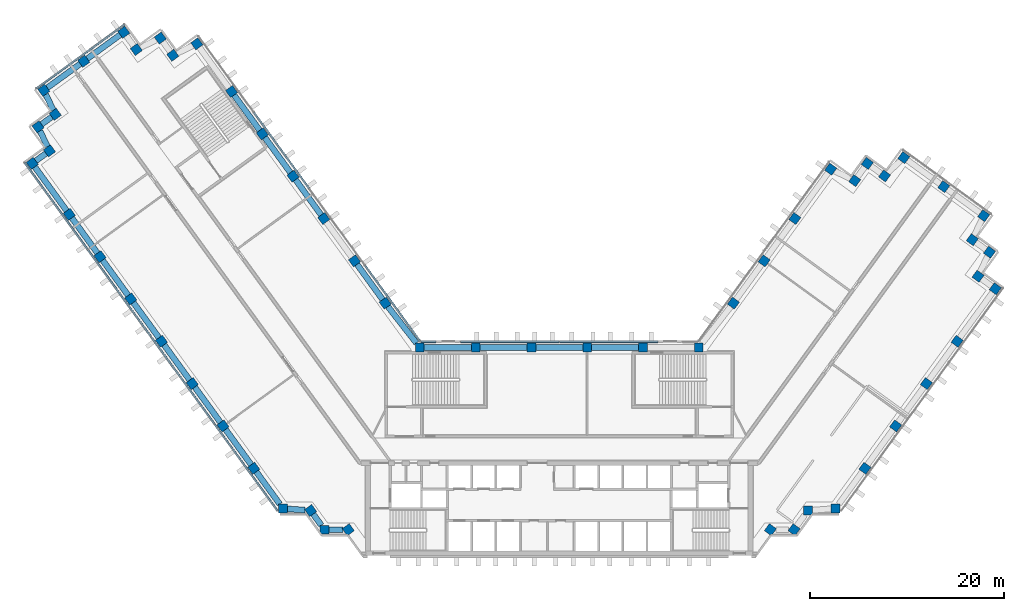
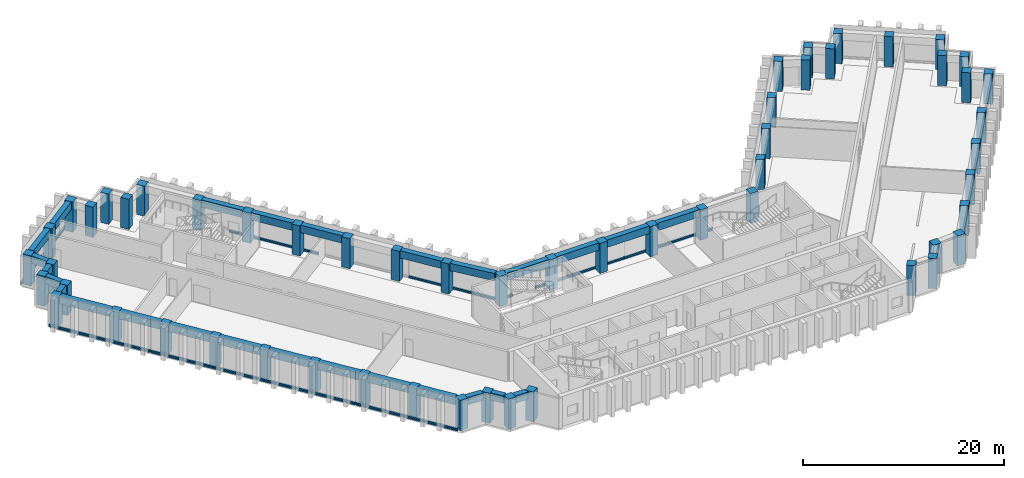
"""IFC4 building model written with IfcOpenShell, lengths in metres."""

from ifc_helpers import new_model, si_unit, direction, frame, origin, origin_2d, place, context, subcontext, project, spatial, rectangle, extrude, material, material_profile, profile_set, type_object, element, aggregate, save


model = new_model("IFC4")

# Units and contexts
model_context = context("Model", 3, precision=1e-05, world=origin(), true_north=direction((0.0, 1.0)))
body_context = subcontext(model_context, "Body", "Model", "MODEL_VIEW")
ifc_project = project(units=[si_unit("LENGTHUNIT", "METRE"), si_unit("AREAUNIT", "SQUARE_METRE"), si_unit("VOLUMEUNIT", "CUBIC_METRE"), si_unit("PLANEANGLEUNIT", "RADIAN"), si_unit("MASSUNIT", "GRAM", prefix="KILO")], contexts=[model_context])

# Site, building, storey
site_placement = place(None, origin())
site = spatial("IfcSite", under=ifc_project, at=site_placement, CompositionType="ELEMENT")
building_placement = place(site_placement, origin())
building = spatial("IfcBuilding", under=site, at=building_placement, Name="Quipu Civic Tower", CompositionType="ELEMENT")
storey_1_placement = place(building_placement, frame((0.0, 0.0, 109.0)))
storey_1 = spatial("IfcBuildingStorey", under=building, at=storey_1_placement, Name="L25", CompositionType="ELEMENT", Elevation=109.0)

# Columns
ifc_material_1 = material(Name="Concrete C60/75", Category="concrete")
ifc_material_profile_1 = material_profile(ifc_material_1, rectangle(XDim=0.89990234375, YDim=0.89990234375, at=origin_2d()), Name="RC900x900")
ifc_profile_set_1 = profile_set([ifc_material_profile_1], Name="Concrete C60/75")
column_type = type_object("IfcColumnType", Name="Perimeter column RC 900x900 C60/75", PredefinedType="COLUMN", material=ifc_profile_set_1)
for number, where, z_axis, x_axis, name in (
    (1, (-17.9736328125, 15.074951171875, 0.0), (0.0, 0.0, 1.0), (-0.587785252292, 0.809016994375, 0.0), "Column L25 W-IN-01"),
    (2, (-21.1474609375, 19.44384765625, 0.0), (0.0, 0.0, 1.0), (-0.587785252292, 0.809016994375, 0.0), "Column L25 W-IN-02"),
    (3, (-24.3212890625, 23.8125, 0.0), (0.0, 0.0, 1.0), (-0.587785252292, 0.809016994375, 0.0), "Column L25 W-IN-03"),
    (4, (-27.4951171875, 28.181396484375, 0.0), (0.0, 0.0, 1.0), (-0.587785252292, 0.809016994375, 0.0), "Column L25 W-IN-04"),
    (5, (-30.6689453125, 32.55029296875, 0.0), (0.0, 0.0, 1.0), (-0.587785252292, 0.809016994375, 0.0), "Column L25 W-IN-05"),
    (6, (-33.843017578125, 36.919189453125, 0.0), (0.0, 0.0, 1.0), (-0.587785252292, 0.809016994375, 0.0), "Column L25 W-IN-06"),
    (7, (-37.425048828125, 41.85009765625, 0.0), (0.0, 0.0, 1.0), (-0.587785252292, 0.809016994375, 0.0), "Column L25 T-Wi.0-W50"),
    (8, (-39.905517578125, 40.666015625, 0.0), (0.0, 0.0, 1.0), (-0.587785252292, 0.809016994375, 0.0), "Column L25 T-Wi.1-W50"),
    (9, (-41.199951171875, 42.445068359375, 0.0), (0.0, 0.0, 1.0), (-0.587785252292, 0.809016994375, 0.0), "Column L25 T-Wi.2-W50"),
    (10, (-43.674560546875, 41.264892578125, 0.0), (0.0, 0.0, 1.0), (-0.809016994375, -0.587785252292, 0.0), "Column L25 T-Wi.3-W50"),
    (11, (-44.969970703125, 43.044921875, 0.0), (0.0, 0.0, 1.0), (-0.809016994375, -0.587785252292, 0.0), "Column L25 T-Wi.4-W50"),
    (12, (-49.095703125, 40.046875, 0.0), (0.0, 0.0, 1.0), (-0.809016994375, -0.587785252292, 0.0), "Column L25 TIP-W-01-W50"),
    (13, (-53.219970703125, 37.050048828125, 0.0), (0.0, 0.0, 1.0), (0.587785252292, -0.809016994375, 0.0), "Column L25 T-Wo.0-W50"),
    (14, (-52.038818359375, 34.571044921875, 0.0), (0.0, 0.0, 1.0), (-0.809016994375, -0.587785252292, 0.0), "Column L25 T-Wo.1-W50"),
    (15, (-53.820068359375, 33.27490234375, 0.0), (0.0, 0.0, 1.0), (0.587785252292, -0.809016994375, 0.0), "Column L25 T-Wo.2-W50"),
    (16, (-52.635986328125, 30.799560546875, 0.0), (0.0, 0.0, 1.0), (-0.809016994375, -0.587785252292, 0.0), "Column L25 T-Wo.3-W50"),
    (17, (-54.4150390625, 29.5048828125, 0.0), (0.0, 0.0, 1.0), (0.587785252292, -0.809016994375, 0.0), "Column L25 T-Wo.4-W50"),
    (18, (-50.59228515625, 24.243408203125, 0.0), (0.0, 0.0, 1.0), (0.587785252292, -0.809016994375, 0.0), "Column L25 W-OUT-07"),
    (19, (-47.41845703125, 19.874755859375, 0.0), (0.0, 0.0, 1.0), (0.587785252292, -0.809016994375, 0.0), "Column L25 W-OUT-06"),
    (20, (-44.244384765625, 15.506103515625, 0.0), (0.0, 0.0, 1.0), (0.587785252292, -0.809016994375, 0.0), "Column L25 W-OUT-05"),
    (21, (-41.0703125, 11.137451171875, 0.0), (0.0, 0.0, 1.0), (0.587785252292, -0.809016994375, 0.0), "Column L25 W-OUT-04"),
    (22, (-37.896240234375, 6.768798828125, 0.0), (0.0, 0.0, 1.0), (0.587785252292, -0.809016994375, 0.0), "Column L25 W-OUT-03"),
    (23, (-34.722412109375, 2.39990234375, 0.0), (0.0, 0.0, 1.0), (0.587785252292, -0.809016994375, 0.0), "Column L25 W-OUT-02"),
    (24, (-31.54833984375, -1.96875, 0.0), (0.0, 0.0, 1.0), (0.587785252292, -0.809016994375, 0.0), "Column L25 W-OUT-01"),
    (25, (-28.52490234375, -6.1298828125, 0.0), (0.0, 0.0, 1.0), (1.0, 0.0, 0.0), "Column L25 J-Wo.0"),
    (26, (-25.67431640625, -6.3369140625, 0.0), (0.0, 0.0, 1.0), (0.587785252292, -0.809016994375, 0.0), "Column L25 J-Wo.1"),
    (27, (-24.235107421875, -8.31494140625, 0.0), (0.0, 0.0, 1.0), (1.0, 0.0, 0.0), "Column L25 J-Wo.2"),
    (28, (-21.791748046875, -8.31494140625, 0.0), (0.0, 0.0, 1.0), (0.587785252292, -0.809016994375, 0.0), "Column L25 J-Wo.3"),
    (29, (21.791748046875, -8.31494140625, 0.0), (0.0, 0.0, 1.0), (0.587785252292, 0.809016994375, 0.0), "Column L25 J-Eo.1"),
    (30, (24.235107421875, -8.31494140625, 0.0), (0.0, 0.0, 1.0), (0.587785252292, 0.809016994375, 0.0), "Column L25 J-Eo.2"),
    (31, (25.67431640625, -6.3369140625, 0.0), (0.0, 0.0, 1.0), (1.0, 0.0, 0.0), "Column L25 J-Eo.3"),
    (32, (28.52490234375, -6.1298828125, 0.0), (0.0, 0.0, 1.0), (1.0, 0.0, 0.0), "Column L25 J-Eo.4"),
    (33, (31.54833984375, -1.96875, 0.0), (0.0, 0.0, 1.0), (0.587785252292, 0.809016994375, 0.0), "Column L25 E-OUT-01"),
    (34, (34.722412109375, 2.39990234375, 0.0), (0.0, 0.0, 1.0), (0.587785252292, 0.809016994375, 0.0), "Column L25 E-OUT-02"),
    (35, (37.896240234375, 6.768798828125, 0.0), (0.0, 0.0, 1.0), (0.587785252292, 0.809016994375, 0.0), "Column L25 E-OUT-03"),
    (36, (41.0703125, 11.137451171875, 0.0), (0.0, 0.0, 1.0), (0.587785252292, 0.809016994375, 0.0), "Column L25 E-OUT-04"),
    (37, (45.010009765625, 16.56005859375, 0.0), (0.0, 0.0, 1.0), (0.587785252292, 0.809016994375, 0.0), "Column L25 T-Eo.0-E34"),
    (38, (43.23095703125, 17.8544921875, 0.0), (0.0, 0.0, 1.0), (0.587785252292, 0.809016994375, 0.0), "Column L25 T-Eo.1-E34"),
    (39, (44.4150390625, 20.3349609375, 0.0), (0.0, 0.0, 1.0), (0.587785252292, 0.809016994375, 0.0), "Column L25 T-Eo.2-E34"),
    (40, (42.635009765625, 21.626220703125, 0.0), (0.0, 0.0, 1.0), (-0.809016994375, 0.587785252292, 0.0), "Column L25 T-Eo.3-E34"),
    (41, (43.81494140625, 24.10498046875, 0.0), (0.0, 0.0, 1.0), (-0.809016994375, 0.587785252292, 0.0), "Column L25 T-Eo.4-E34"),
    (42, (39.690673828125, 27.10205078125, 0.0), (0.0, 0.0, 1.0), (-0.809016994375, 0.587785252292, 0.0), "Column L25 TIP-E-01-E34"),
    (43, (35.56494140625, 30.10009765625, 0.0), (0.0, 0.0, 1.0), (-0.587785252292, -0.809016994375, 0.0), "Column L25 T-Ei.0-E34"),
    (44, (33.573974609375, 28.20947265625, 0.0), (0.0, 0.0, 1.0), (-0.809016994375, 0.587785252292, 0.0), "Column L25 T-Ei.1-E34"),
    (45, (31.794921875, 29.5, 0.0), (0.0, 0.0, 1.0), (-0.587785252292, -0.809016994375, 0.0), "Column L25 T-Ei.2-E34"),
    (46, (30.498779296875, 27.72265625, 0.0), (0.0, 0.0, 1.0), (-0.809016994375, 0.587785252292, 0.0), "Column L25 T-Ei.3-E34"),
    (47, (28.02001953125, 28.905029296875, 0.0), (0.0, 0.0, 1.0), (-0.809016994375, 0.587785252292, 0.0), "Column L25 T-Ei.4-E34"),
    (48, (24.3212890625, 23.8125, 0.0), (0.0, 0.0, 1.0), (-0.587785252292, -0.809016994375, 0.0), "Column L25 E-IN-03"),
    (49, (21.1474609375, 19.44384765625, 0.0), (0.0, 0.0, 1.0), (-0.587785252292, -0.809016994375, 0.0), "Column L25 E-IN-02"),
    (50, (17.9736328125, 15.074951171875, 0.0), (0.0, 0.0, 1.0), (-0.587785252292, -0.809016994375, 0.0), "Column L25 E-IN-01"),
    (51, (14.395263671875, 10.5, 0.0), (0.0, 0.0, 1.0), (-1.0, 0.0, 0.0), "Column L25 J-Ei.0"),
    (52, (8.63720703125, 10.5, 0.0), (0.0, 0.0, 1.0), (-1.0, 0.0, 0.0), "Column L25 FRONT-01"),
    (53, (2.87890625, 10.5, 0.0), (0.0, 0.0, 1.0), (-1.0, 0.0, 0.0), "Column L25 FRONT-02"),
    (54, (-2.87890625, 10.5, 0.0), (0.0, 0.0, 1.0), (-1.0, 0.0, 0.0), "Column L25 FRONT-03"),
    (55, (-8.63720703125, 10.5, 0.0), (0.0, 0.0, 1.0), (-1.0, 0.0, 0.0), "Column L25 FRONT-04"),
    (56, (-14.395263671875, 10.5, 0.0), (0.0, 0.0, 1.0), (-1.0, 0.0, 0.0), "Column L25 J-Wi.0"),
):
    element("IfcColumn", number, at=place(storey_1_placement, frame(where, z_axis=z_axis, x_axis=x_axis)), inside=storey_1, type_object=column_type, Name=name, PredefinedType="COLUMN", context=body_context, shape_type="SweptSolid", body=[
        extrude(rectangle(XDim=0.89990234375, YDim=0.89990234375, at=origin_2d()), origin(), (0.0, 0.0, 1.0), 3.64990234375),
    ])

# Beams
ifc_material_2 = material(Name="Concrete C50/60", Category="concrete")
ifc_material_profile_2 = material_profile(ifc_material_2, rectangle(XDim=0.60009765625, YDim=0.89990234375, at=origin_2d()), Name="RC600x900")
ifc_profile_set_2 = profile_set([ifc_material_profile_2], Name="Concrete C50/60")
beam_type = type_object("IfcBeamType", Name="Spandrel beam RC 600x900 C50/60", PredefinedType="SPANDREL", material=ifc_profile_set_2)
for number, where, z_axis, x_axis, name in (
    (57, (-18.238037109375, 15.43896484375, 3.199951171875), (-0.587716763865, 0.809066749701, 0.0), (-0.809066749701, -0.587716763865, 0.0), "Spandrel beam L25 W-IN-01 to W-IN-02"),
    (58, (-24.585693359375, 24.1767578125, 3.199951171875), (-0.587778073121, 0.809022210299, 0.0), (-0.809022210299, -0.587778073121, 0.0), "Spandrel beam L25 W-IN-03 to W-IN-04"),
    (59, (-27.759765625, 28.545654296875, 3.199951171875), (-0.587742561851, 0.809048009076, 0.0), (-0.809048009076, -0.587742561851, 0.0), "Spandrel beam L25 W-IN-04 to W-IN-05"),
    (60, (-30.93359375, 32.914306640625, 3.199951171875), (-0.587716763865, 0.809066749701, 0.0), (-0.809066749701, -0.587716763865, 0.0), "Spandrel beam L25 W-IN-05 to W-IN-06"),
):
    element("IfcBeam", number, at=place(storey_1_placement, frame(where, z_axis=z_axis, x_axis=x_axis)), inside=storey_1, type_object=beam_type, Name=name, PredefinedType="SPANDREL", context=body_context, shape_type="SweptSolid", body=[
        extrude(rectangle(XDim=0.60009765625, YDim=0.89990234375, at=origin_2d()), origin(), (0.0, 0.0, 1.0), 4.5),
    ])
beam_1_placement = place(storey_1_placement, frame((-45.333984375, 42.780517578125, 3.199951171875), z_axis=(-0.808969789945, -0.58785021813, 0.0), x_axis=(0.58785021813, -0.808969789945, 0.0)))
element("IfcBeam", 61, at=beam_1_placement, inside=storey_1, type_object=beam_type, Name="Spandrel beam L25 T-Wi.4-W50 to TIP-W-01-W50", PredefinedType="SPANDREL", context=body_context, shape_type="SweptSolid", body=[
    extrude(rectangle(XDim=0.60009765625, YDim=0.89990234375, at=origin_2d()), origin(), (0.0, 0.0, 1.0), 4.199951171875),
])
beam_2_placement = place(storey_1_placement, frame((-49.459716796875, 39.782470703125, 3.199951171875), z_axis=(-0.808959834407, -0.587863918196, 0.0), x_axis=(0.587863918196, -0.808959834407, 0.0)))
element("IfcBeam", 62, at=beam_2_placement, inside=storey_1, type_object=beam_type, Name="Spandrel beam L25 TIP-W-01-W50 to T-Wo.0-W50", PredefinedType="SPANDREL", context=body_context, shape_type="SweptSolid", body=[
    extrude(rectangle(XDim=0.60009765625, YDim=0.89990234375, at=origin_2d()), origin(), (0.0, 0.0, 1.0), 4.1982421875),
])
beam_3_placement = place(storey_1_placement, frame((-53.023193359375, 36.63671875, 3.199951171875), z_axis=(0.430166558323, -0.902749540072, 0.0), x_axis=(0.902749540072, 0.430166558323, 0.0)))
element("IfcBeam", 63, at=beam_3_placement, inside=storey_1, type_object=beam_type, Name="Spandrel beam L25 T-Wo.0-W50 to T-Wo.1-W50", PredefinedType="SPANDREL", context=body_context, shape_type="SweptSolid", body=[
    extrude(rectangle(XDim=0.60009765625, YDim=0.89990234375, at=origin_2d()), origin(), (0.0, 0.0, 1.0), 1.830322265625),
])
beam_4_placement = place(storey_1_placement, frame((-52.40283203125, 34.306396484375, 3.199951171875), z_axis=(-0.808509099783, -0.588483674853, 0.0), x_axis=(0.588483674853, -0.808509099783, 0.0)))
element("IfcBeam", 64, at=beam_4_placement, inside=storey_1, type_object=beam_type, Name="Spandrel beam L25 T-Wo.1-W50 to T-Wo.2-W50", PredefinedType="SPANDREL", context=body_context, shape_type="SweptSolid", body=[
    extrude(rectangle(XDim=0.60009765625, YDim=0.89990234375, at=origin_2d()), origin(), (0.0, 0.0, 1.0), 1.302734375),
])
beam_5_placement = place(storey_1_placement, frame((-53.62255859375, 32.8623046875, 3.199951171875), z_axis=(0.431446050156, -0.902138739776, 0.0), x_axis=(0.902138739776, 0.431446050156, 0.0)))
element("IfcBeam", 65, at=beam_5_placement, inside=storey_1, type_object=beam_type, Name="Spandrel beam L25 T-Wo.2-W50 to T-Wo.3-W50", PredefinedType="SPANDREL", context=body_context, shape_type="SweptSolid", body=[
    extrude(rectangle(XDim=0.60009765625, YDim=0.89990234375, at=origin_2d()), origin(), (0.0, 0.0, 1.0), 1.828857421875),
])
beam_6_placement = place(storey_1_placement, frame((-53.0, 30.53466796875, 3.199951171875), z_axis=(-0.808549242423, -0.588428519514, 0.0), x_axis=(0.588428519514, -0.808549242423, 0.0)))
element("IfcBeam", 66, at=beam_6_placement, inside=storey_1, type_object=beam_type, Name="Spandrel beam L25 T-Wo.3-W50 to T-Wo.4-W50", PredefinedType="SPANDREL", context=body_context, shape_type="SweptSolid", body=[
    extrude(rectangle(XDim=0.60009765625, YDim=0.89990234375, at=origin_2d()), origin(), (0.0, 0.0, 1.0), 1.2998046875),
])
beam_7_placement = place(storey_1_placement, frame((-54.150390625, 29.140869140625, 3.199951171875), z_axis=(0.587772657145, -0.809026145135, 0.0), x_axis=(0.809026145135, 0.587772657145, 0.0)))
element("IfcBeam", 67, at=beam_7_placement, inside=storey_1, type_object=beam_type, Name="Spandrel beam L25 T-Wo.4-W50 to W-OUT-07", PredefinedType="SPANDREL", context=body_context, shape_type="SweptSolid", body=[
    extrude(rectangle(XDim=0.60009765625, YDim=0.89990234375, at=origin_2d()), origin(), (0.0, 0.0, 1.0), 5.603271484375),
])
beam_8_placement = place(storey_1_placement, frame((-50.327880859375, 23.87939453125, 3.199951171875), z_axis=(0.587778073121, -0.809022210299, 0.0), x_axis=(0.809022210299, 0.587778073121, 0.0)))
element("IfcBeam", 68, at=beam_8_placement, inside=storey_1, type_object=beam_type, Name="Spandrel beam L25 W-OUT-07 to W-OUT-06", PredefinedType="SPANDREL", context=body_context, shape_type="SweptSolid", body=[
    extrude(rectangle(XDim=0.60009765625, YDim=0.89990234375, at=origin_2d()), origin(), (0.0, 0.0, 1.0), 4.5),
])
beam_9_placement = place(storey_1_placement, frame((-47.15380859375, 19.5107421875, 3.199951171875), z_axis=(0.587803872688, -0.809003465539, 0.0), x_axis=(0.809003465539, 0.587803872688, 0.0)))
element("IfcBeam", 69, at=beam_9_placement, inside=storey_1, type_object=beam_type, Name="Spandrel beam L25 W-OUT-06 to W-OUT-05", PredefinedType="SPANDREL", context=body_context, shape_type="SweptSolid", body=[
    extrude(rectangle(XDim=0.60009765625, YDim=0.89990234375, at=origin_2d()), origin(), (0.0, 0.0, 1.0), 4.499755859375),
])
for number, where, z_axis, x_axis, name in (
    (70, (-43.97998046875, 15.14208984375, 3.199951171875), (0.587778073121, -0.809022210299, 0.0), (0.809022210299, 0.587778073121, 0.0), "Spandrel beam L25 W-OUT-05 to W-OUT-04"),
    (71, (-40.805908203125, 10.7734375, 3.199951171875), (0.587778073121, -0.809022210299, 0.0), (0.809022210299, 0.587778073121, 0.0), "Spandrel beam L25 W-OUT-04 to W-OUT-03"),
):
    element("IfcBeam", number, at=place(storey_1_placement, frame(where, z_axis=z_axis, x_axis=x_axis)), inside=storey_1, type_object=beam_type, Name=name, PredefinedType="SPANDREL", context=body_context, shape_type="SweptSolid", body=[
        extrude(rectangle(XDim=0.60009765625, YDim=0.89990234375, at=origin_2d()), origin(), (0.0, 0.0, 1.0), 4.5),
    ])
beam_10_placement = place(storey_1_placement, frame((-37.6318359375, 6.404541015625, 3.199951171875), z_axis=(0.587803872688, -0.809003465539, 0.0), x_axis=(0.809003465539, 0.587803872688, 0.0)))
element("IfcBeam", 72, at=beam_10_placement, inside=storey_1, type_object=beam_type, Name="Spandrel beam L25 W-OUT-03 to W-OUT-02", PredefinedType="SPANDREL", context=body_context, shape_type="SweptSolid", body=[
    extrude(rectangle(XDim=0.60009765625, YDim=0.89990234375, at=origin_2d()), origin(), (0.0, 0.0, 1.0), 4.499755859375),
])
beam_11_placement = place(storey_1_placement, frame((-34.457763671875, 2.035888671875, 3.199951171875), z_axis=(0.587778073121, -0.809022210299, 0.0), x_axis=(0.809022210299, 0.587778073121, 0.0)))
element("IfcBeam", 73, at=beam_11_placement, inside=storey_1, type_object=beam_type, Name="Spandrel beam L25 W-OUT-02 to W-OUT-01", PredefinedType="SPANDREL", context=body_context, shape_type="SweptSolid", body=[
    extrude(rectangle(XDim=0.60009765625, YDim=0.89990234375, at=origin_2d()), origin(), (0.0, 0.0, 1.0), 4.5),
])
beam_12_placement = place(storey_1_placement, frame((-31.28369140625, -2.332763671875, 3.199951171875), z_axis=(0.587750565781, -0.809042194464, 0.0), x_axis=(0.809042194464, 0.587750565781, 0.0)))
element("IfcBeam", 74, at=beam_12_placement, inside=storey_1, type_object=beam_type, Name="Spandrel beam L25 W-OUT-01 to J-Wo.0", PredefinedType="SPANDREL", context=body_context, shape_type="SweptSolid", body=[
    extrude(rectangle(XDim=0.60009765625, YDim=0.89990234375, at=origin_2d()), origin(), (0.0, 0.0, 1.0), 4.13720703125),
])
beam_13_placement = place(storey_1_placement, frame((-28.074951171875, -6.16259765625, 3.199951171875), z_axis=(0.997367229877, -0.072516265536, 0.0), x_axis=(0.072516265536, 0.997367229877, 0.0)))
element("IfcBeam", 75, at=beam_13_placement, inside=storey_1, type_object=beam_type, Name="Spandrel beam L25 J-Wo.0 to J-Wo.1", PredefinedType="SPANDREL", context=body_context, shape_type="SweptSolid", body=[
    extrude(rectangle(XDim=0.60009765625, YDim=0.89990234375, at=origin_2d()), origin(), (0.0, 0.0, 1.0), 1.818115234375),
])
beam_14_placement = place(storey_1_placement, frame((-25.40966796875, -6.700927734375, 3.199951171875), z_axis=(0.588433824377, -0.808545381738, 0.0), x_axis=(0.808545381738, 0.588433824377, 0.0)))
element("IfcBeam", 76, at=beam_14_placement, inside=storey_1, type_object=beam_type, Name="Spandrel beam L25 J-Wo.1 to J-Wo.2", PredefinedType="SPANDREL", context=body_context, shape_type="SweptSolid", body=[
    extrude(rectangle(XDim=0.60009765625, YDim=0.89990234375, at=origin_2d()), origin(), (0.0, 0.0, 1.0), 1.439697265625),
])
beam_15_placement = place(storey_1_placement, frame((-23.784912109375, -8.31494140625, 3.199951171875), z_axis=(1.0, 0.0, 0.0), x_axis=(0.0, 1.0, 0.0)))
element("IfcBeam", 77, at=beam_15_placement, inside=storey_1, type_object=beam_type, Name="Spandrel beam L25 J-Wo.2 to J-Wo.3", PredefinedType="SPANDREL", context=body_context, shape_type="SweptSolid", body=[
    extrude(rectangle(XDim=0.60009765625, YDim=0.89990234375, at=origin_2d()), origin(), (0.0, 0.0, 1.0), 1.436767578125),
])
for number, where, z_axis, x_axis, name in (
    (78, (8.18701171875, 10.5, 3.199951171875), (-1.0, 0.0, 0.0), (0.0, -1.0, 0.0), "Spandrel beam L25 FRONT-01 to FRONT-02"),
    (79, (2.428955078125, 10.5, 3.199951171875), (-1.0, 0.0, 0.0), (0.0, -1.0, 0.0), "Spandrel beam L25 FRONT-02 to FRONT-03"),
    (80, (-3.3291015625, 10.5, 3.199951171875), (-1.0, 0.0, 0.0), (0.0, -1.0, 0.0), "Spandrel beam L25 FRONT-03 to FRONT-04"),
):
    element("IfcBeam", number, at=place(storey_1_placement, frame(where, z_axis=z_axis, x_axis=x_axis)), inside=storey_1, type_object=beam_type, Name=name, PredefinedType="SPANDREL", context=body_context, shape_type="SweptSolid", body=[
        extrude(rectangle(XDim=0.60009765625, YDim=0.89990234375, at=origin_2d()), origin(), (0.0, 0.0, 1.0), 4.85791015625),
    ])
beam_16_placement = place(storey_1_placement, frame((-9.087158203125, 10.5, 3.199951171875), z_axis=(-1.0, 0.0, 0.0), x_axis=(0.0, -1.0, 0.0)))
element("IfcBeam", 81, at=beam_16_placement, inside=storey_1, type_object=beam_type, Name="Spandrel beam L25 FRONT-04 to J-Wi.0", PredefinedType="SPANDREL", context=body_context, shape_type="SweptSolid", body=[
    extrude(rectangle(XDim=0.60009765625, YDim=0.89990234375, at=origin_2d()), origin(), (0.0, 0.0, 1.0), 4.858154296875),
])
beam_17_placement = place(storey_1_placement, frame((-14.7470703125, 10.949951171875, 3.199951171875), z_axis=(-0.616123961998, 0.787649200756, 0.0), x_axis=(-0.787649200756, -0.616123961998, 0.0)))
element("IfcBeam", 82, at=beam_17_placement, inside=storey_1, type_object=beam_type, Name="Spandrel beam L25 J-Wi.0 to W-IN-01", PredefinedType="SPANDREL", context=body_context, shape_type="SweptSolid", body=[
    extrude(rectangle(XDim=0.60009765625, YDim=0.89990234375, at=origin_2d()), origin(), (0.0, 0.0, 1.0), 4.78662109375),
])

# Storey
storey_2_placement = place(building_placement, frame((0.0, 0.0, 101.0)))
storey_2 = spatial("IfcBuildingStorey", under=building, at=storey_2_placement, Name="L23", CompositionType="ELEMENT", Elevation=101.0)

# Curtain wall, members
ifc_material_3 = material(Name="Insulated glass unit", Category="glass")
curtain_wall_type = type_object("IfcCurtainWallType", Name="Office curtain wall CW1", PredefinedType="NOTDEFINED", material=ifc_material_3)
curtain_wall_1_placement = place(storey_2_placement, origin())
curtain_wall_1 = element("IfcCurtainWall", 83, at=curtain_wall_1_placement, inside=storey_2, type_object=curtain_wall_type, Name="Office curtain wall CW1 L22 run 10", PredefinedType="NOTDEFINED")
ifc_material_4 = material(Name="Anodised aluminium", Category="aluminium")
ifc_material_profile_3 = material_profile(ifc_material_4, rectangle(XDim=0.199951171875, YDim=0.159912109375, at=origin_2d()), Name="RECT 200x160")
ifc_profile_set_3 = profile_set([ifc_material_profile_3], Name="Anodised aluminium")
member_type = type_object("IfcMemberType", Name="Transom CW1", PredefinedType="USERDEFINED", material=ifc_profile_set_3)
member_1_placement = place(storey_1_placement, frame((-14.39111328125, 11.164794921875, 0.0), z_axis=(-0.58779220199, 0.809011945079, 0.0), x_axis=(-0.809011945079, -0.58779220199, 0.0)))
member_1 = element("IfcMember", 84, at=member_1_placement, inside=storey_1, type_object=member_type, Name="CW1 transom 1.4", ObjectType="TRANSOM", PredefinedType="USERDEFINED", context=body_context, shape_type="SweptSolid", body=[
    extrude(rectangle(XDim=0.199951171875, YDim=0.159912109375, at=origin_2d()), origin(), (0.0, 0.0, 1.0), 9.64111328125),
])
member_2_placement = place(storey_1_placement, frame((-25.842529296875, 26.926025390625, 0.0), z_axis=(-0.58778177227, 0.809019522748, 0.0), x_axis=(-0.809019522748, -0.58778177227, 0.0)))
member_2 = element("IfcMember", 85, at=member_2_placement, inside=storey_1, type_object=member_type, Name="CW1 transom 3.4", ObjectType="TRANSOM", PredefinedType="USERDEFINED", context=body_context, shape_type="SweptSolid", body=[
    extrude(rectangle(XDim=0.199951171875, YDim=0.159912109375, at=origin_2d()), origin(), (0.0, 0.0, 1.0), 9.68115234375),
])
aggregate(curtain_wall_1, [member_1, member_2])

# Curtain wall, member
curtain_wall_2_placement = place(storey_2_placement, origin())
curtain_wall_2 = element("IfcCurtainWall", 86, at=curtain_wall_2_placement, inside=storey_2, type_object=curtain_wall_type, Name="Office curtain wall CW1 L22 run 15", PredefinedType="NOTDEFINED")
member_3_placement = place(storey_1_placement, frame((-44.9013671875, 43.8349609375, 0.0), z_axis=(-0.809032792449, -0.587763507495, 0.0), x_axis=(0.587763507495, -0.809032792449, 0.0)))
member_3 = element("IfcMember", 87, at=member_3_placement, inside=storey_1, type_object=member_type, Name="CW1 transom 1.4", ObjectType="TRANSOM", PredefinedType="USERDEFINED", context=body_context, shape_type="SweptSolid", body=[
    extrude(rectangle(XDim=0.199951171875, YDim=0.159912109375, at=origin_2d()), origin(), (0.0, 0.0, 1.0), 11.239990234375),
])
aggregate(curtain_wall_2, [member_3])

# Curtain wall, members
curtain_wall_3_placement = place(storey_2_placement, origin())
curtain_wall_3 = element("IfcCurtainWall", 88, at=curtain_wall_3_placement, inside=storey_2, type_object=curtain_wall_type, Name="Office curtain wall CW1 L22 run 20", PredefinedType="NOTDEFINED")
member_4_placement = place(storey_1_placement, frame((-55.20703125, 29.573974609375, 0.0), z_axis=(0.587779179422, -0.809021406539, 0.0), x_axis=(0.809021406539, 0.587779179422, 0.0)))
member_4 = element("IfcMember", 89, at=member_4_placement, inside=storey_1, type_object=member_type, Name="CW1 transom 1.4", ObjectType="TRANSOM", PredefinedType="USERDEFINED", context=body_context, shape_type="SweptSolid", body=[
    extrude(rectangle(XDim=0.199951171875, YDim=0.159912109375, at=origin_2d()), origin(), (0.0, 0.0, 1.0), 11.02294921875),
])
member_5_placement = place(storey_1_placement, frame((-48.68115234375, 20.591552734375, 0.0), z_axis=(0.587795037589, -0.80900988485, 0.0), x_axis=(0.80900988485, 0.587795037589, 0.0)))
member_5 = element("IfcMember", 90, at=member_5_placement, inside=storey_1, type_object=member_type, Name="CW1 transom 2.4", ObjectType="TRANSOM", PredefinedType="USERDEFINED", context=body_context, shape_type="SweptSolid", body=[
    extrude(rectangle(XDim=0.199951171875, YDim=0.159912109375, at=origin_2d()), origin(), (0.0, 0.0, 1.0), 11.062744140625),
])
member_6_placement = place(storey_1_placement, frame((-42.131591796875, 11.576904296875, 0.0), z_axis=(0.587795037589, -0.80900988485, 0.0), x_axis=(0.80900988485, 0.587795037589, 0.0)))
member_6 = element("IfcMember", 91, at=member_6_placement, inside=storey_1, type_object=member_type, Name="CW1 transom 3.4", ObjectType="TRANSOM", PredefinedType="USERDEFINED", context=body_context, shape_type="SweptSolid", body=[
    extrude(rectangle(XDim=0.199951171875, YDim=0.159912109375, at=origin_2d()), origin(), (0.0, 0.0, 1.0), 11.062744140625),
])
member_7_placement = place(storey_1_placement, frame((-35.58203125, 2.562255859375, 0.0), z_axis=(0.587779179422, -0.809021406539, 0.0), x_axis=(0.809021406539, 0.587779179422, 0.0)))
member_7 = element("IfcMember", 92, at=member_7_placement, inside=storey_1, type_object=member_type, Name="CW1 transom 4.4", ObjectType="TRANSOM", PredefinedType="USERDEFINED", context=body_context, shape_type="SweptSolid", body=[
    extrude(rectangle(XDim=0.199951171875, YDim=0.159912109375, at=origin_2d()), origin(), (0.0, 0.0, 1.0), 11.02294921875),
])
aggregate(curtain_wall_3, [member_4, member_5, member_6, member_7])

curtain_wall_4_placement = place(storey_2_placement, origin())
curtain_wall_4 = element("IfcCurtainWall", 93, at=curtain_wall_4_placement, inside=storey_2, type_object=curtain_wall_type, Name="Office curtain wall CW1 L22 run 39", PredefinedType="NOTDEFINED")
member_8_placement = place(storey_1_placement, frame((10.18359375, 11.10009765625, 0.0), z_axis=(-1.0, 0.0, 0.0), x_axis=(0.0, -1.0, 0.0)))
member_8 = element("IfcMember", 94, at=member_8_placement, inside=storey_1, type_object=member_type, Name="CW1 transom 1.4", ObjectType="TRANSOM", PredefinedType="USERDEFINED", context=body_context, shape_type="SweptSolid", body=[
    extrude(rectangle(XDim=0.199951171875, YDim=0.159912109375, at=origin_2d()), origin(), (0.0, 0.0, 1.0), 10.1435546875),
])
member_9_placement = place(storey_1_placement, frame((-0.0400390625, 11.10009765625, 0.0), z_axis=(-1.0, 0.0, 0.0), x_axis=(0.0, -1.0, 0.0)))
member_9 = element("IfcMember", 95, at=member_9_placement, inside=storey_1, type_object=member_type, Name="CW1 transom 2.4", ObjectType="TRANSOM", PredefinedType="USERDEFINED", context=body_context, shape_type="SweptSolid", body=[
    extrude(rectangle(XDim=0.199951171875, YDim=0.159912109375, at=origin_2d()), origin(), (0.0, 0.0, 1.0), 10.1435546875),
])
aggregate(curtain_wall_4, [member_8, member_9])

# Curtain wall, member
curtain_wall_5_placement = place(storey_2_placement, origin())
curtain_wall_5 = element("IfcCurtainWall", 96, at=curtain_wall_5_placement, inside=storey_2, type_object=curtain_wall_type, Name="Office curtain wall CW1 L22 run 41", PredefinedType="NOTDEFINED")
member_10_placement = place(storey_1_placement, frame((-12.735107421875, 11.10009765625, 0.0), z_axis=(-1.0, 0.0, 0.0), x_axis=(0.0, -1.0, 0.0)))
member_10 = element("IfcMember", 97, at=member_10_placement, inside=storey_1, type_object=member_type, Name="CW1 transom 1.4", ObjectType="TRANSOM", PredefinedType="USERDEFINED", context=body_context, shape_type="SweptSolid", body=[
    extrude(rectangle(XDim=0.199951171875, YDim=0.159912109375, at=origin_2d()), origin(), (0.0, 0.0, 1.0), 1.529052734375),
])
aggregate(curtain_wall_5, [member_10])

# Storey
storey_3_placement = place(building_placement, frame((0.0, 0.0, 113.0)))
storey_3 = spatial("IfcBuildingStorey", under=building, at=storey_3_placement, Name="L26", CompositionType="ELEMENT", Elevation=113.0)

# Curtain wall, members
curtain_wall_6_placement = place(storey_3_placement, origin())
curtain_wall_6 = element("IfcCurtainWall", 98, at=curtain_wall_6_placement, inside=storey_3, type_object=curtain_wall_type, Name="Office curtain wall CW1 L25 run 1", PredefinedType="NOTDEFINED")
member_11_placement = place(storey_1_placement, frame((-14.39111328125, 11.164794921875, 0.159912109375), z_axis=(-0.58779220199, 0.809011945079, 0.0), x_axis=(-0.809011945079, -0.58779220199, 0.0)))
member_11 = element("IfcMember", 99, at=member_11_placement, inside=storey_1, type_object=member_type, Name="CW1 transom 1.1", ObjectType="TRANSOM", PredefinedType="USERDEFINED", context=body_context, shape_type="SweptSolid", body=[
    extrude(rectangle(XDim=0.199951171875, YDim=0.159912109375, at=origin_2d()), origin(), (0.0, 0.0, 1.0), 9.64111328125),
])
member_12_placement = place(storey_1_placement, frame((-25.842529296875, 26.926025390625, 0.159912109375), z_axis=(-0.58778177227, 0.809019522748, 0.0), x_axis=(-0.809019522748, -0.58778177227, 0.0)))
member_12 = element("IfcMember", 100, at=member_12_placement, inside=storey_1, type_object=member_type, Name="CW1 transom 3.1", ObjectType="TRANSOM", PredefinedType="USERDEFINED", context=body_context, shape_type="SweptSolid", body=[
    extrude(rectangle(XDim=0.199951171875, YDim=0.159912109375, at=origin_2d()), origin(), (0.0, 0.0, 1.0), 9.68115234375),
])
aggregate(curtain_wall_6, [member_11, member_12])

# Curtain wall, member
curtain_wall_7_placement = place(storey_3_placement, origin())
curtain_wall_7 = element("IfcCurtainWall", 101, at=curtain_wall_7_placement, inside=storey_3, type_object=curtain_wall_type, Name="Office curtain wall CW1 L25 run 6", PredefinedType="NOTDEFINED")
member_13_placement = place(storey_1_placement, frame((-44.9013671875, 43.8349609375, 0.159912109375), z_axis=(-0.809032792449, -0.587763507495, 0.0), x_axis=(0.587763507495, -0.809032792449, 0.0)))
member_13 = element("IfcMember", 102, at=member_13_placement, inside=storey_1, type_object=member_type, Name="CW1 transom 1.1", ObjectType="TRANSOM", PredefinedType="USERDEFINED", context=body_context, shape_type="SweptSolid", body=[
    extrude(rectangle(XDim=0.199951171875, YDim=0.159912109375, at=origin_2d()), origin(), (0.0, 0.0, 1.0), 11.239990234375),
])
aggregate(curtain_wall_7, [member_13])

# Curtain wall, members
curtain_wall_8_placement = place(storey_3_placement, origin())
curtain_wall_8 = element("IfcCurtainWall", 103, at=curtain_wall_8_placement, inside=storey_3, type_object=curtain_wall_type, Name="Office curtain wall CW1 L25 run 11", PredefinedType="NOTDEFINED")
member_14_placement = place(storey_1_placement, frame((-55.20703125, 29.573974609375, 0.159912109375), z_axis=(0.587779179422, -0.809021406539, 0.0), x_axis=(0.809021406539, 0.587779179422, 0.0)))
member_14 = element("IfcMember", 104, at=member_14_placement, inside=storey_1, type_object=member_type, Name="CW1 transom 1.1", ObjectType="TRANSOM", PredefinedType="USERDEFINED", context=body_context, shape_type="SweptSolid", body=[
    extrude(rectangle(XDim=0.199951171875, YDim=0.159912109375, at=origin_2d()), origin(), (0.0, 0.0, 1.0), 11.02294921875),
])
member_15_placement = place(storey_1_placement, frame((-48.68115234375, 20.591552734375, 0.159912109375), z_axis=(0.587795037589, -0.80900988485, 0.0), x_axis=(0.80900988485, 0.587795037589, 0.0)))
member_15 = element("IfcMember", 105, at=member_15_placement, inside=storey_1, type_object=member_type, Name="CW1 transom 2.1", ObjectType="TRANSOM", PredefinedType="USERDEFINED", context=body_context, shape_type="SweptSolid", body=[
    extrude(rectangle(XDim=0.199951171875, YDim=0.159912109375, at=origin_2d()), origin(), (0.0, 0.0, 1.0), 11.062744140625),
])
member_16_placement = place(storey_1_placement, frame((-42.131591796875, 11.576904296875, 0.159912109375), z_axis=(0.587795037589, -0.80900988485, 0.0), x_axis=(0.80900988485, 0.587795037589, 0.0)))
member_16 = element("IfcMember", 106, at=member_16_placement, inside=storey_1, type_object=member_type, Name="CW1 transom 3.1", ObjectType="TRANSOM", PredefinedType="USERDEFINED", context=body_context, shape_type="SweptSolid", body=[
    extrude(rectangle(XDim=0.199951171875, YDim=0.159912109375, at=origin_2d()), origin(), (0.0, 0.0, 1.0), 11.062744140625),
])
member_17_placement = place(storey_1_placement, frame((-35.58203125, 2.562255859375, 0.159912109375), z_axis=(0.587779179422, -0.809021406539, 0.0), x_axis=(0.809021406539, 0.587779179422, 0.0)))
member_17 = element("IfcMember", 107, at=member_17_placement, inside=storey_1, type_object=member_type, Name="CW1 transom 4.1", ObjectType="TRANSOM", PredefinedType="USERDEFINED", context=body_context, shape_type="SweptSolid", body=[
    extrude(rectangle(XDim=0.199951171875, YDim=0.159912109375, at=origin_2d()), origin(), (0.0, 0.0, 1.0), 11.02294921875),
])
aggregate(curtain_wall_8, [member_14, member_15, member_16, member_17])

curtain_wall_9_placement = place(storey_3_placement, origin())
curtain_wall_9 = element("IfcCurtainWall", 108, at=curtain_wall_9_placement, inside=storey_3, type_object=curtain_wall_type, Name="Office curtain wall CW1 L25 run 33", PredefinedType="NOTDEFINED")
member_18_placement = place(storey_1_placement, frame((10.18359375, 11.10009765625, 0.159912109375), z_axis=(-1.0, 0.0, 0.0), x_axis=(0.0, -1.0, 0.0)))
member_18 = element("IfcMember", 109, at=member_18_placement, inside=storey_1, type_object=member_type, Name="CW1 transom 1.1", ObjectType="TRANSOM", PredefinedType="USERDEFINED", context=body_context, shape_type="SweptSolid", body=[
    extrude(rectangle(XDim=0.199951171875, YDim=0.159912109375, at=origin_2d()), origin(), (0.0, 0.0, 1.0), 10.1435546875),
])
member_19_placement = place(storey_1_placement, frame((-0.0400390625, 11.10009765625, 0.159912109375), z_axis=(-1.0, 0.0, 0.0), x_axis=(0.0, -1.0, 0.0)))
member_19 = element("IfcMember", 110, at=member_19_placement, inside=storey_1, type_object=member_type, Name="CW1 transom 2.1", ObjectType="TRANSOM", PredefinedType="USERDEFINED", context=body_context, shape_type="SweptSolid", body=[
    extrude(rectangle(XDim=0.199951171875, YDim=0.159912109375, at=origin_2d()), origin(), (0.0, 0.0, 1.0), 10.1435546875),
])
aggregate(curtain_wall_9, [member_18, member_19])

# Curtain wall, member
curtain_wall_10_placement = place(storey_3_placement, origin())
curtain_wall_10 = element("IfcCurtainWall", 111, at=curtain_wall_10_placement, inside=storey_3, type_object=curtain_wall_type, Name="Office curtain wall CW1 L25 run 35", PredefinedType="NOTDEFINED")
member_20_placement = place(storey_1_placement, frame((-12.735107421875, 11.10009765625, 0.159912109375), z_axis=(-1.0, 0.0, 0.0), x_axis=(0.0, -1.0, 0.0)))
member_20 = element("IfcMember", 112, at=member_20_placement, inside=storey_1, type_object=member_type, Name="CW1 transom 1.1", ObjectType="TRANSOM", PredefinedType="USERDEFINED", context=body_context, shape_type="SweptSolid", body=[
    extrude(rectangle(XDim=0.199951171875, YDim=0.159912109375, at=origin_2d()), origin(), (0.0, 0.0, 1.0), 1.529052734375),
])
aggregate(curtain_wall_10, [member_20])

save(model, "model.ifc")
